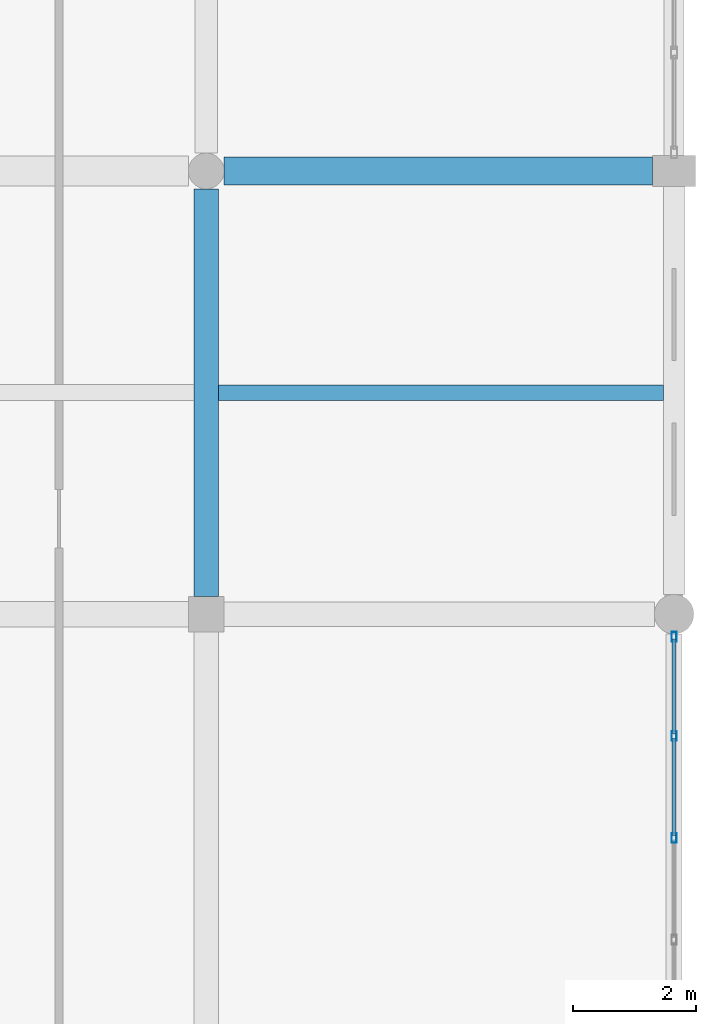
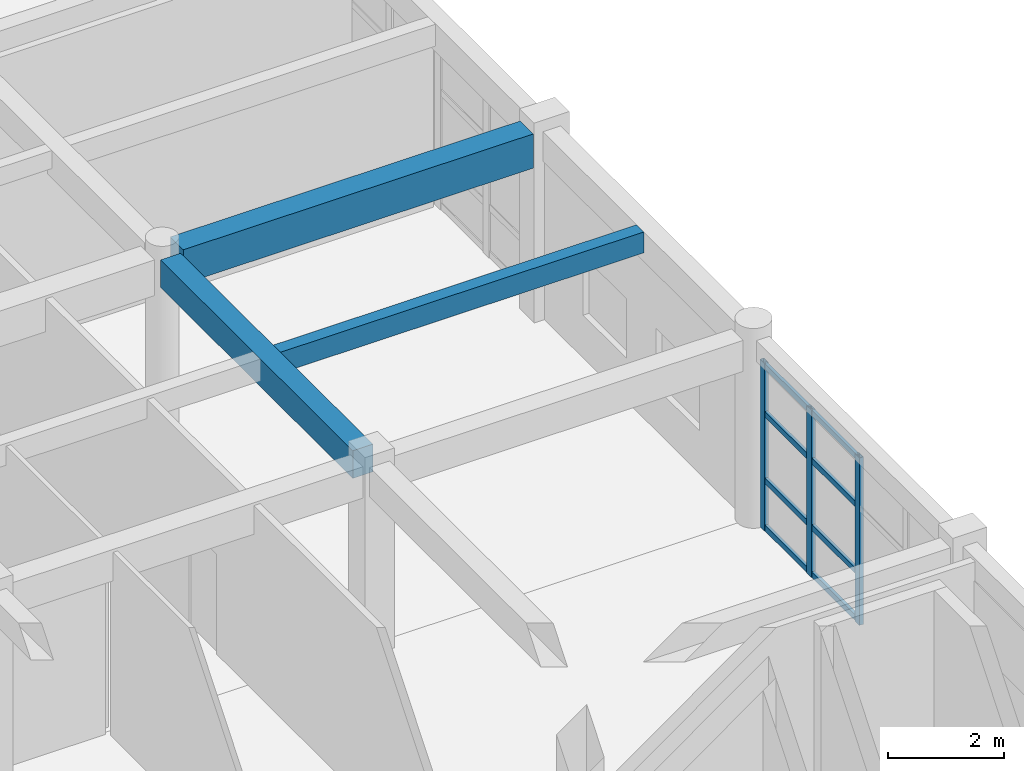
# One storey, part 86 of 121: 11 members, 3 beams, 1 element without a shape of its own.
"""IFC4 building model written with IfcOpenShell, lengths in metres."""

from ifc_helpers import new_model, si_unit, direction, frame, origin, origin_2d, place, context, subcontext, project, spatial, rectangle, hollow_rectangle, extrude, material, material_profile, profile_set, type_object, element, aggregate, save


model = new_model("IFC4")

# Units and contexts
model_context = context("Model", 3, precision=1e-05, world=origin(), true_north=direction((0.0, 1.0)))
body_context = subcontext(model_context, "Body", "Model", "MODEL_VIEW")
ifc_project = project(units=[si_unit("LENGTHUNIT", "METRE"), si_unit("AREAUNIT", "SQUARE_METRE"), si_unit("VOLUMEUNIT", "CUBIC_METRE"), si_unit("PLANEANGLEUNIT", "RADIAN"), si_unit("MASSUNIT", "GRAM", prefix="KILO")], contexts=[model_context])

# Site, building, storey
site_placement = place(None, origin())
site = spatial("IfcSite", under=ifc_project, at=site_placement, CompositionType="ELEMENT")
building_placement = place(site_placement, origin())
building = spatial("IfcBuilding", under=site, at=building_placement, Name="Kharva Crest Polytechnic", CompositionType="ELEMENT")
storey_placement = place(building_placement, frame((0.0, 0.0, 13.199951171875)))
storey = spatial("IfcBuildingStorey", under=building, at=storey_placement, Name="L03", CompositionType="ELEMENT", Elevation=13.199951171875)

# Beams
ifc_material_1 = material(Name="Concrete C35/45", Category="concrete")
ifc_material_profile_1 = material_profile(ifc_material_1, rectangle(XDim=0.39990234375, YDim=0.580078125, at=origin_2d()), Name="RECT 400 X 580")
ifc_profile_set_1 = profile_set([ifc_material_profile_1], Name="Concrete C35/45")
beam_type_1 = type_object("IfcBeamType", Name="BM-RC-400X580", PredefinedType="BEAM", material=ifc_profile_set_1)
beam_1_placement = place(storey_placement, frame((176.39990234375, 100.68994140625, 3.670166015625), z_axis=(0.0, 1.0, 0.0), x_axis=(-1.0, 0.0, 0.0)))
element("IfcBeam", 1, at=beam_1_placement, inside=storey, type_object=beam_type_1, Name="L03 Girder 23/P-Q", PredefinedType="BEAM", context=body_context, shape_type="SweptSolid", body=[
    extrude(rectangle(XDim=0.39990234375, YDim=0.580078125, at=origin_2d()), origin(), (0.0, 0.0, 1.0), 6.6201171875),
])
ifc_material_profile_2 = material_profile(ifc_material_1, rectangle(XDim=0.449951171875, YDim=0.719970703125, at=origin_2d()), Name="RECT 450 X 720")
ifc_profile_set_2 = profile_set([ifc_material_profile_2], Name="Concrete C35/45")
beam_type_2 = type_object("IfcBeamType", Name="BM-RC-450X720", PredefinedType="BEAM", material=ifc_profile_set_2)
beam_2_placement = place(storey_placement, frame((176.68994140625, 107.60009765625, 3.60009765625), z_axis=(1.0, 0.0, 0.0), x_axis=(0.0, 1.0, 0.0)))
element("IfcBeam", 2, at=beam_2_placement, inside=storey, type_object=beam_type_2, Name="L03 Beam Q/23-24", PredefinedType="BEAM", context=body_context, shape_type="SweptSolid", body=[
    extrude(rectangle(XDim=0.449951171875, YDim=0.719970703125, at=origin_2d()), origin(), (0.0, 0.0, 1.0), 6.9599609375),
])

# Curtain wall, members
ifc_material_2 = material(Name="Tempered insulated glass", Category="glass")
curtain_wall_type = type_object("IfcCurtainWallType", Name="CW-SYS-COURT", PredefinedType="USERDEFINED", material=ifc_material_2)
curtain_wall_placement = place(storey_placement, origin())
curtain_wall = element("IfcCurtainWall", 3, at=curtain_wall_placement, inside=storey, type_object=curtain_wall_type, Name="L03 Glazed Curtain Wall CW-152", ObjectType="CURTAIN WALL", PredefinedType="USERDEFINED")
ifc_material_3 = material(Name="Steel S355", Category="steel")
ifc_material_profile_3 = material_profile(ifc_material_3, hollow_rectangle(XDim=0.080078125, YDim=0.159912109375, WallThickness=0.0048828125, at=origin_2d()), Name="RHS 160X80X5.0")
ifc_profile_set_3 = profile_set([ifc_material_profile_3], Name="Steel S355")
member_type_1 = type_object("IfcMemberType", Name="CWM-RHS160X80", PredefinedType="MULLION", material=ifc_profile_set_3)
member_1_placement = place(storey_placement, frame((184.0, 96.764892578125, 0.0), z_axis=(0.0, 0.0, 1.0), x_axis=(-1.0, 0.0, 0.0)))
member_1 = element("IfcMember", 4, at=member_1_placement, type_object=member_type_1, Name="CW-152 mullion 3", PredefinedType="MULLION", context=body_context, shape_type="SweptSolid", body=[
    extrude(hollow_rectangle(XDim=0.080078125, YDim=0.159912109375, WallThickness=0.0048828125, at=origin_2d()), origin(), (0.0, 0.0, 1.0), 3.52001953125),
])
member_2_placement = place(storey_placement, frame((184.0, 98.419921875, 0.0), z_axis=(0.0, 0.0, 1.0), x_axis=(-1.0, 0.0, 0.0)))
member_2 = element("IfcMember", 5, at=member_2_placement, type_object=member_type_1, Name="CW-152 mullion 4", PredefinedType="MULLION", context=body_context, shape_type="SweptSolid", body=[
    extrude(hollow_rectangle(XDim=0.080078125, YDim=0.159912109375, WallThickness=0.0048828125, at=origin_2d()), origin(), (0.0, 0.0, 1.0), 3.52001953125),
])
member_3_placement = place(storey_placement, frame((184.0, 100.034912109375, 0.0), z_axis=(0.0, 0.0, 1.0), x_axis=(-1.0, 0.0, 0.0)))
member_3 = element("IfcMember", 6, at=member_3_placement, type_object=member_type_1, Name="CW-152 mullion 5", PredefinedType="MULLION", context=body_context, shape_type="SweptSolid", body=[
    extrude(hollow_rectangle(XDim=0.080078125, YDim=0.159912109375, WallThickness=0.0048828125, at=origin_2d()), origin(), (0.0, 0.0, 1.0), 3.52001953125),
])
ifc_material_profile_4 = material_profile(ifc_material_3, hollow_rectangle(XDim=0.06005859375, YDim=0.1201171875, WallThickness=0.00390625, at=origin_2d()), Name="RHS 120X60X4.0")
ifc_profile_set_4 = profile_set([ifc_material_profile_4], Name="Steel S355")
member_type_2 = type_object("IfcMemberType", Name="CWT-RHS120X60", PredefinedType="USERDEFINED", material=ifc_profile_set_4)
member_4_placement = place(storey_placement, frame((184.0, 96.804931640625, 0.06005859375), z_axis=(0.0, 1.0, 0.0), x_axis=(-1.0, 0.0, 0.0)))
member_4 = element("IfcMember", 7, at=member_4_placement, type_object=member_type_2, Name="CW-152 transom 3.1", ObjectType="TRANSOM", PredefinedType="USERDEFINED", context=body_context, shape_type="SweptSolid", body=[
    extrude(hollow_rectangle(XDim=0.06005859375, YDim=0.1201171875, WallThickness=0.00390625, at=origin_2d()), origin(), (0.0, 0.0, 1.0), 1.574951171875),
])
member_5_placement = place(storey_placement, frame((184.0, 96.804931640625, 1.050048828125), z_axis=(0.0, 1.0, 0.0), x_axis=(-1.0, 0.0, 0.0)))
member_5 = element("IfcMember", 8, at=member_5_placement, type_object=member_type_2, Name="CW-152 transom 3.2", ObjectType="TRANSOM", PredefinedType="USERDEFINED", context=body_context, shape_type="SweptSolid", body=[
    extrude(hollow_rectangle(XDim=0.06005859375, YDim=0.1201171875, WallThickness=0.00390625, at=origin_2d()), origin(), (0.0, 0.0, 1.0), 1.574951171875),
])
member_6_placement = place(storey_placement, frame((184.0, 96.804931640625, 2.449951171875), z_axis=(0.0, 1.0, 0.0), x_axis=(-1.0, 0.0, 0.0)))
member_6 = element("IfcMember", 9, at=member_6_placement, type_object=member_type_2, Name="CW-152 transom 3.3", ObjectType="TRANSOM", PredefinedType="USERDEFINED", context=body_context, shape_type="SweptSolid", body=[
    extrude(hollow_rectangle(XDim=0.06005859375, YDim=0.1201171875, WallThickness=0.00390625, at=origin_2d()), origin(), (0.0, 0.0, 1.0), 1.574951171875),
])
member_7_placement = place(storey_placement, frame((184.0, 96.804931640625, 3.4599609375), z_axis=(0.0, 1.0, 0.0), x_axis=(-1.0, 0.0, 0.0)))
member_7 = element("IfcMember", 10, at=member_7_placement, type_object=member_type_2, Name="CW-152 transom 3.4", ObjectType="TRANSOM", PredefinedType="USERDEFINED", context=body_context, shape_type="SweptSolid", body=[
    extrude(hollow_rectangle(XDim=0.06005859375, YDim=0.1201171875, WallThickness=0.00390625, at=origin_2d()), origin(), (0.0, 0.0, 1.0), 1.574951171875),
])
member_8_placement = place(storey_placement, frame((184.0, 98.4599609375, 0.06005859375), z_axis=(0.0, 1.0, 0.0), x_axis=(-1.0, 0.0, 0.0)))
member_8 = element("IfcMember", 11, at=member_8_placement, type_object=member_type_2, Name="CW-152 transom 4.1", ObjectType="TRANSOM", PredefinedType="USERDEFINED", context=body_context, shape_type="SweptSolid", body=[
    extrude(hollow_rectangle(XDim=0.06005859375, YDim=0.1201171875, WallThickness=0.00390625, at=origin_2d()), origin(), (0.0, 0.0, 1.0), 1.53515625),
])
member_9_placement = place(storey_placement, frame((184.0, 98.4599609375, 1.050048828125), z_axis=(0.0, 1.0, 0.0), x_axis=(-1.0, 0.0, 0.0)))
member_9 = element("IfcMember", 12, at=member_9_placement, type_object=member_type_2, Name="CW-152 transom 4.2", ObjectType="TRANSOM", PredefinedType="USERDEFINED", context=body_context, shape_type="SweptSolid", body=[
    extrude(hollow_rectangle(XDim=0.06005859375, YDim=0.1201171875, WallThickness=0.00390625, at=origin_2d()), origin(), (0.0, 0.0, 1.0), 1.53515625),
])
member_10_placement = place(storey_placement, frame((184.0, 98.4599609375, 2.449951171875), z_axis=(0.0, 1.0, 0.0), x_axis=(-1.0, 0.0, 0.0)))
member_10 = element("IfcMember", 13, at=member_10_placement, type_object=member_type_2, Name="CW-152 transom 4.3", ObjectType="TRANSOM", PredefinedType="USERDEFINED", context=body_context, shape_type="SweptSolid", body=[
    extrude(hollow_rectangle(XDim=0.06005859375, YDim=0.1201171875, WallThickness=0.00390625, at=origin_2d()), origin(), (0.0, 0.0, 1.0), 1.53515625),
])
member_11_placement = place(storey_placement, frame((184.0, 98.4599609375, 3.4599609375), z_axis=(0.0, 1.0, 0.0), x_axis=(-1.0, 0.0, 0.0)))
member_11 = element("IfcMember", 14, at=member_11_placement, type_object=member_type_2, Name="CW-152 transom 4.4", ObjectType="TRANSOM", PredefinedType="USERDEFINED", context=body_context, shape_type="SweptSolid", body=[
    extrude(hollow_rectangle(XDim=0.06005859375, YDim=0.1201171875, WallThickness=0.00390625, at=origin_2d()), origin(), (0.0, 0.0, 1.0), 1.53515625),
])
aggregate(curtain_wall, [member_1, member_2, member_3, member_4, member_5, member_6, member_7, member_8, member_9, member_10, member_11])

# Beam
ifc_material_profile_5 = material_profile(ifc_material_1, rectangle(XDim=0.25, YDim=0.43994140625, at=origin_2d()), Name="RECT 250 X 440")
ifc_profile_set_5 = profile_set([ifc_material_profile_5], Name="Concrete C35/45")
beam_type_3 = type_object("IfcBeamType", Name="JS-RC-250X440", PredefinedType="JOIST", material=ifc_profile_set_5)
beam_3_placement = place(storey_placement, frame((176.60009765625, 104.0, 3.739990234375), z_axis=(1.0, 0.0, 0.0), x_axis=(0.0, 1.0, 0.0)))
element("IfcBeam", 15, at=beam_3_placement, inside=storey, type_object=beam_type_3, Name="L03 Floor Joist 33", PredefinedType="JOIST", context=body_context, shape_type="SweptSolid", body=[
    extrude(rectangle(XDim=0.25, YDim=0.43994140625, at=origin_2d()), origin(), (0.0, 0.0, 1.0), 7.224853515625),
])

save(model, "model.ifc")
